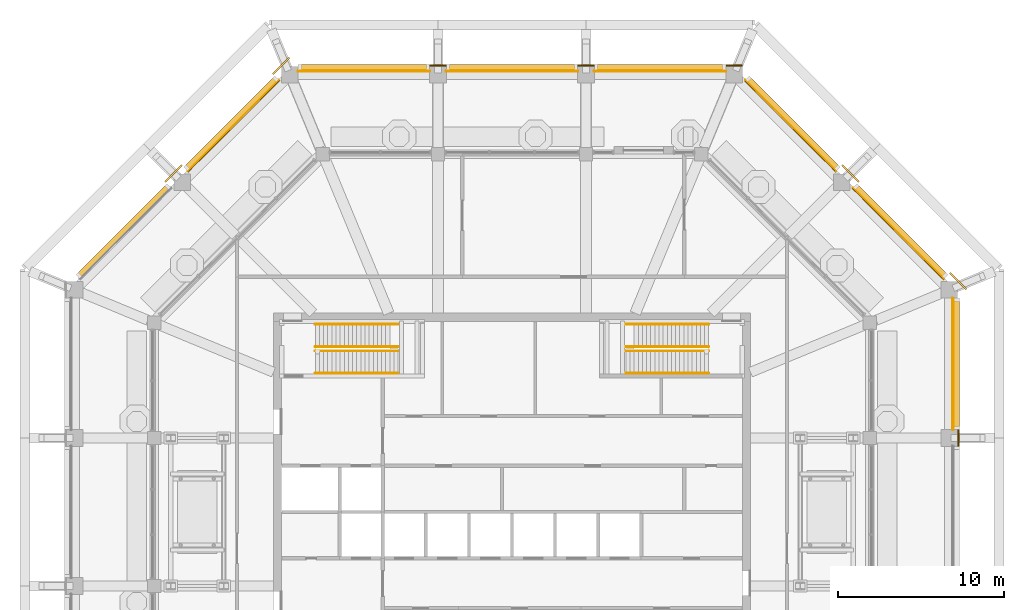
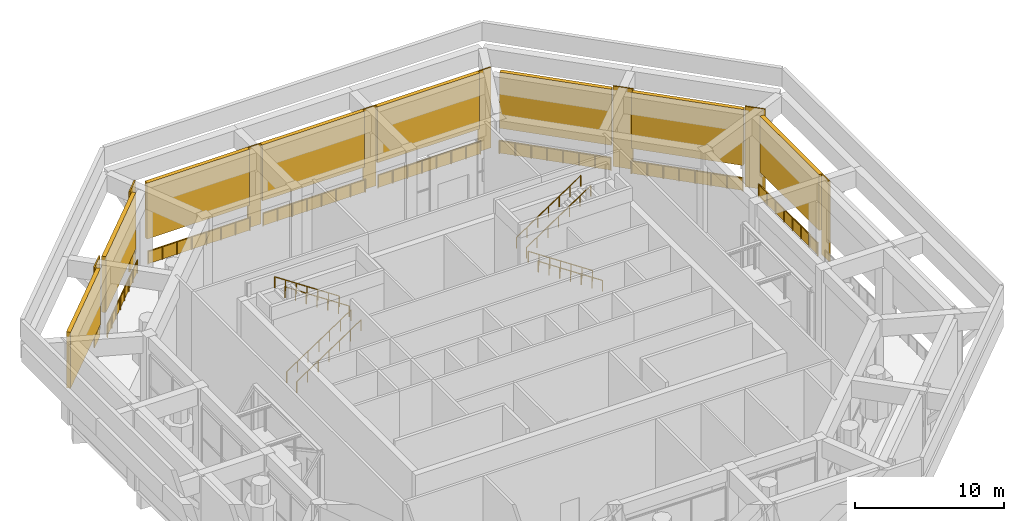
# One storey, part 28 of 29: 15 coverings, 15 railings, 8 shading devices.
"""IFC4 building model written with IfcOpenShell, lengths in metres."""

from ifc_helpers import new_model, si_unit, direction, frame, frame_2d, origin, origin_2d, place, context, subcontext, project, spatial, rectangle, circle, extrude, material, layer, layer_set, constituent, constituent_set, type_object, element, save


model = new_model("IFC4")

# Units and contexts
model_context = context("Model", 3, precision=1e-05, world=origin(), true_north=direction((0.0, 1.0)))
body_context = subcontext(model_context, "Body", "Model", "MODEL_VIEW")
ifc_project = project(units=[si_unit("LENGTHUNIT", "METRE"), si_unit("AREAUNIT", "SQUARE_METRE"), si_unit("VOLUMEUNIT", "CUBIC_METRE"), si_unit("PLANEANGLEUNIT", "RADIAN"), si_unit("MASSUNIT", "GRAM", prefix="KILO")], contexts=[model_context])

# Site, building, storey
site_placement = place(None, origin())
site = spatial("IfcSite", under=ifc_project, at=site_placement, CompositionType="ELEMENT")
building_placement = place(site_placement, origin())
building = spatial("IfcBuilding", under=site, at=building_placement, Name="Msitu Wima Residences", CompositionType="ELEMENT")
storey_placement = place(building_placement, frame((0.0, 0.0, 320.10009765625)))
storey = spatial("IfcBuildingStorey", under=building, at=storey_placement, Name="L74", CompositionType="ELEMENT", Elevation=320.10009765625)

# Shading devices
ifc_material_1 = material(Name="Brick (red buff mix), open-jointed screen bond", Category="masonry")
ifc_layer_1 = layer(ifc_material_1, 0.300048828125)
ifc_layer_set_1 = layer_set([ifc_layer_1], Name="Brick (red buff mix), open-jointed screen bond")
shading_device_type = type_object("IfcShadingDeviceType", Name="Brick louvre screen BS300", PredefinedType="JALOUSIE", material=ifc_layer_set_1)
shading_device_1_placement = place(storey_placement, frame((26.85009765625, 4.96875, 2.0), z_axis=(0.0, 0.0, 1.0), x_axis=(0.0, 1.0, 0.0)))
element("IfcShadingDevice", 1, at=shading_device_1_placement, inside=storey, type_object=shading_device_type, Name="Brick louvre screen E2", PredefinedType="JALOUSIE", context=body_context, shape_type="SweptSolid", body=[
    extrude(rectangle(XDim=7.937255859375, YDim=0.300048828125, at=frame_2d((3.96875, 0.0))), origin(), (0.0, 0.0, 1.0), 4.599853515625),
])
for number, where, z_axis, x_axis, name in (
    (2, (26.21826171875, 14.22412109375, 2.0), (0.0, 0.0, 1.0), (-0.707106781187, 0.707106781187, 0.0), "Brick louvre screen NE0"),
    (3, (19.72119140625, 20.72119140625, 2.0), (0.0, 0.0, 1.0), (-0.707106781187, 0.707106781187, 0.0), "Brick louvre screen NE1"),
):
    element("IfcShadingDevice", number, at=place(storey_placement, frame(where, z_axis=z_axis, x_axis=x_axis)), inside=storey, type_object=shading_device_type, Name=name, PredefinedType="JALOUSIE", context=body_context, shape_type="SweptSolid", body=[
        extrude(rectangle(XDim=7.77392578125, YDim=0.300048828125, at=frame_2d((3.886962890625, 0.0))), origin(), (0.0, 0.0, 1.0), 4.599853515625),
    ])
shading_device_2_placement = place(storey_placement, frame((12.906005859375, 26.85009765625, 2.0), z_axis=(0.0, 0.0, 1.0), x_axis=(-1.0, 0.0, 0.0)))
element("IfcShadingDevice", 4, at=shading_device_2_placement, inside=storey, type_object=shading_device_type, Name="Brick louvre screen N0", PredefinedType="JALOUSIE", context=body_context, shape_type="SweptSolid", body=[
    extrude(rectangle(XDim=7.937255859375, YDim=0.300048828125, at=frame_2d((3.96875, 0.0))), origin(), (0.0, 0.0, 1.0), 4.599853515625),
])
shading_device_3_placement = place(storey_placement, frame((3.96875, 26.85009765625, 2.0), z_axis=(0.0, 0.0, 1.0), x_axis=(-1.0, 0.0, 0.0)))
element("IfcShadingDevice", 5, at=shading_device_3_placement, inside=storey, type_object=shading_device_type, Name="Brick louvre screen N1", PredefinedType="JALOUSIE", context=body_context, shape_type="SweptSolid", body=[
    extrude(rectangle(XDim=7.9375, YDim=0.300048828125, at=frame_2d((3.96875, 0.0))), origin(), (0.0, 0.0, 1.0), 4.599853515625),
])
shading_device_4_placement = place(storey_placement, frame((-4.96875, 26.85009765625, 2.0), z_axis=(0.0, 0.0, 1.0), x_axis=(-1.0, 0.0, 0.0)))
element("IfcShadingDevice", 6, at=shading_device_4_placement, inside=storey, type_object=shading_device_type, Name="Brick louvre screen N2", PredefinedType="JALOUSIE", context=body_context, shape_type="SweptSolid", body=[
    extrude(rectangle(XDim=7.937255859375, YDim=0.300048828125, at=frame_2d((3.96875, 0.0))), origin(), (0.0, 0.0, 1.0), 4.599853515625),
])
for number, where, z_axis, x_axis, name in (
    (7, (-14.22412109375, 26.21826171875, 2.0), (0.0, 0.0, 1.0), (-0.707106781187, -0.707106781187, 0.0), "Brick louvre screen NW0"),
    (8, (-20.72119140625, 19.72119140625, 2.0), (0.0, 0.0, 1.0), (-0.707106781187, -0.707106781187, 0.0), "Brick louvre screen NW1"),
):
    element("IfcShadingDevice", number, at=place(storey_placement, frame(where, z_axis=z_axis, x_axis=x_axis)), inside=storey, type_object=shading_device_type, Name=name, PredefinedType="JALOUSIE", context=body_context, shape_type="SweptSolid", body=[
        extrude(rectangle(XDim=7.77392578125, YDim=0.300048828125, at=frame_2d((3.886962890625, 0.0))), origin(), (0.0, 0.0, 1.0), 4.599853515625),
    ])

# Coverings
ifc_material_2 = material(Name="Laminated toughened clear glass", Category="glass")
ifc_layer_2 = layer(ifc_material_2, 0.02001953125)
ifc_layer_set_2 = layer_set([ifc_layer_2], Name="Laminated toughened clear glass")
covering_type_1 = type_object("IfcCoveringType", Name="Deck glass guard panel GP20", PredefinedType="CLADDING", material=ifc_layer_set_2)
covering_1_placement = place(storey_placement, frame((26.64990234375, 8.937255859375, 0.0), z_axis=(0.0, 0.0, 1.0), x_axis=(0.0, 1.0, 0.0)))
element("IfcCovering", 9, at=covering_1_placement, inside=storey, type_object=covering_type_1, Name="Deck glass guard panel E2", PredefinedType="CLADDING", context=body_context, shape_type="SweptSolid", body=[
    extrude(rectangle(XDim=7.937255859375, YDim=0.02001953125, at=origin_2d()), origin(), (0.0, 0.0, 1.0), 1.0),
])
for number, where, z_axis, x_axis, name in (
    (10, (23.328369140625, 16.831298828125, 0.0), (0.0, 0.0, 1.0), (-0.707106781187, 0.707106781187, 0.0), "Deck glass guard panel NE0"),
    (11, (16.831298828125, 23.328369140625, 0.0), (0.0, 0.0, 1.0), (-0.707106781187, 0.707106781187, 0.0), "Deck glass guard panel NE1"),
):
    element("IfcCovering", number, at=place(storey_placement, frame(where, z_axis=z_axis, x_axis=x_axis)), inside=storey, type_object=covering_type_1, Name=name, PredefinedType="CLADDING", context=body_context, shape_type="SweptSolid", body=[
        extrude(rectangle(XDim=7.77392578125, YDim=0.02001953125, at=origin_2d()), origin(), (0.0, 0.0, 1.0), 1.0),
    ])
for number, where, z_axis, x_axis, name in (
    (12, (8.937255859375, 26.64990234375, 0.0), (0.0, 0.0, 1.0), (-1.0, 0.0, 0.0), "Deck glass guard panel N0"),
    (13, (0.0, 26.64990234375, 0.0), (0.0, 0.0, 1.0), (-1.0, 0.0, 0.0), "Deck glass guard panel N1"),
    (14, (-8.937255859375, 26.64990234375, 0.0), (0.0, 0.0, 1.0), (-1.0, 0.0, 0.0), "Deck glass guard panel N2"),
):
    element("IfcCovering", number, at=place(storey_placement, frame(where, z_axis=z_axis, x_axis=x_axis)), inside=storey, type_object=covering_type_1, Name=name, PredefinedType="CLADDING", context=body_context, shape_type="SweptSolid", body=[
        extrude(rectangle(XDim=7.937255859375, YDim=0.02001953125, at=origin_2d()), origin(), (0.0, 0.0, 1.0), 1.0),
    ])
covering_2_placement = place(storey_placement, frame((-16.831298828125, 23.328369140625, 0.0), z_axis=(0.0, 0.0, 1.0), x_axis=(-0.707106781187, -0.707106781187, 0.0)))
element("IfcCovering", 15, at=covering_2_placement, inside=storey, type_object=covering_type_1, Name="Deck glass guard panel NW0", PredefinedType="CLADDING", context=body_context, shape_type="SweptSolid", body=[
    extrude(rectangle(XDim=7.77392578125, YDim=0.02001953125, at=origin_2d()), origin(), (0.0, 0.0, 1.0), 1.0),
])
ifc_material_3 = material(Name="Brick (red buff mix) slips on insulated backing", Category="masonry")
ifc_layer_3 = layer(ifc_material_3, 0.10009765625)
ifc_layer_set_3 = layer_set([ifc_layer_3], Name="Brick (red buff mix) slips on insulated backing")
covering_type_2 = type_object("IfcCoveringType", Name="Pier brick cladding PC100", PredefinedType="CLADDING", material=ifc_layer_set_3)
covering_3_placement = place(storey_placement, frame((26.949951171875, 4.46875, -0.000244140625), z_axis=(0.0, 0.0, 1.0), x_axis=(0.0, 1.0, 0.0)))
element("IfcCovering", 16, at=covering_3_placement, inside=storey, type_object=covering_type_2, Name="Pier brick cladding E2", PredefinedType="CLADDING", context=body_context, shape_type="SweptSolid", body=[
    extrude(rectangle(XDim=1.0, YDim=0.10009765625, at=origin_2d()), origin(), (0.0, 0.0, 1.0), 6.60009765625),
])
for number, where, z_axis, x_axis, name in (
    (17, (26.935302734375, 13.941162109375, -0.000244140625), (0.0, 0.0, 1.0), (-0.707106781187, 0.707106781187, 0.0), "Pier brick cladding NE0"),
    (18, (20.438232421875, 20.438232421875, -0.000244140625), (0.0, 0.0, 1.0), (-0.707106781187, 0.707106781187, 0.0), "Pier brick cladding NE1"),
):
    element("IfcCovering", number, at=place(storey_placement, frame(where, z_axis=z_axis, x_axis=x_axis)), inside=storey, type_object=covering_type_2, Name=name, PredefinedType="CLADDING", context=body_context, shape_type="SweptSolid", body=[
        extrude(rectangle(XDim=1.414306640625, YDim=0.10009765625, at=origin_2d()), origin(), (0.0, 0.0, 1.0), 6.60009765625),
    ])
for number, where, z_axis, x_axis, name in (
    (19, (13.406005859375, 26.949951171875, -0.000244140625), (0.0, 0.0, 1.0), (-1.0, 0.0, 0.0), "Pier brick cladding N0"),
    (20, (4.46875, 26.949951171875, -0.000244140625), (0.0, 0.0, 1.0), (-1.0, 0.0, 0.0), "Pier brick cladding N1"),
    (21, (-4.46875, 26.949951171875, -0.000244140625), (0.0, 0.0, 1.0), (-1.0, 0.0, 0.0), "Pier brick cladding N2"),
):
    element("IfcCovering", number, at=place(storey_placement, frame(where, z_axis=z_axis, x_axis=x_axis)), inside=storey, type_object=covering_type_2, Name=name, PredefinedType="CLADDING", context=body_context, shape_type="SweptSolid", body=[
        extrude(rectangle(XDim=1.0, YDim=0.10009765625, at=origin_2d()), origin(), (0.0, 0.0, 1.0), 6.60009765625),
    ])
for number, where, z_axis, x_axis, name in (
    (22, (-13.941162109375, 26.935302734375, -0.000244140625), (0.0, 0.0, 1.0), (-0.707106781187, -0.707106781187, 0.0), "Pier brick cladding NW0"),
    (23, (-20.438232421875, 20.438232421875, -0.000244140625), (0.0, 0.0, 1.0), (-0.707106781187, -0.707106781187, 0.0), "Pier brick cladding NW1"),
):
    element("IfcCovering", number, at=place(storey_placement, frame(where, z_axis=z_axis, x_axis=x_axis)), inside=storey, type_object=covering_type_2, Name=name, PredefinedType="CLADDING", context=body_context, shape_type="SweptSolid", body=[
        extrude(rectangle(XDim=1.414306640625, YDim=0.10009765625, at=origin_2d()), origin(), (0.0, 0.0, 1.0), 6.60009765625),
    ])

# Railings
ifc_material_4 = material(Name="Steel S355", Category="steel")
ifc_constituent_1 = constituent(ifc_material_4, Name="Steel S355")
ifc_material_5 = material(Name="Black powder coating")
ifc_constituent_2 = constituent(ifc_material_5, Name="Black powder coating")
ifc_constituent_set_1 = constituent_set(constituents=[ifc_constituent_1, ifc_constituent_2], Name="Steel S355")
railing_type_1 = type_object("IfcRailingType", Name="Stair handrail HR1", PredefinedType="HANDRAIL", material=ifc_constituent_set_1)
for number, where, name in (
    (24, (-11.875, 8.375, 0.16650390625), "Stair 1 handrail"),
    (25, (-11.875, 9.72509765625, 0.16650390625), "Stair 1 handrail"),
):
    element("IfcRailing", number, at=place(storey_placement, frame(where)), inside=storey, type_object=railing_type_1, Name=name, PredefinedType="HANDRAIL", context=body_context, shape_type="SweptSolid", body=[
        extrude(circle(Radius=0.02392578125, at=origin_2d()), frame((0.0, 0.0, 0.8759765625), z_axis=(0.832037793559, 0.0, 0.554718946936), x_axis=(0.0, 1.0, 0.0)), (0.0, 0.0, 1.0), 6.00927734375),
        extrude(circle(Radius=0.02099609375, at=origin_2d()), origin(), (0.0, 0.0, 1.0), 0.851806640625),
        extrude(circle(Radius=0.02099609375, at=origin_2d()), frame((0.833251953125, 0.0, 0.5556640625)), (0.0, 0.0, 1.0), 0.851806640625),
        extrude(circle(Radius=0.02099609375, at=origin_2d()), frame((1.666748046875, 0.0, 1.111083984375)), (0.0, 0.0, 1.0), 0.851806640625),
        extrude(circle(Radius=0.02099609375, at=origin_2d()), frame((2.5, 0.0, 1.666748046875)), (0.0, 0.0, 1.0), 0.851806640625),
        extrude(circle(Radius=0.02099609375, at=origin_2d()), frame((3.333251953125, 0.0, 2.222412109375)), (0.0, 0.0, 1.0), 0.851806640625),
        extrude(circle(Radius=0.02099609375, at=origin_2d()), frame((4.166748046875, 0.0, 2.77783203125)), (0.0, 0.0, 1.0), 0.851806640625),
        extrude(circle(Radius=0.02099609375, at=origin_2d()), frame((5.0, 0.0, 3.33349609375)), (0.0, 0.0, 1.0), 0.851806640625),
    ])
for number, where, name in (
    (26, (-6.875, 9.97509765625, 3.66650390625), "Stair 1 handrail"),
    (27, (-6.875, 11.324951171875, 3.66650390625), "Stair 1 handrail"),
    (28, (11.875, 8.375, 0.16650390625), "Stair 3 handrail"),
    (29, (11.875, 9.72509765625, 0.16650390625), "Stair 3 handrail"),
):
    element("IfcRailing", number, at=place(storey_placement, frame(where)), inside=storey, type_object=railing_type_1, Name=name, PredefinedType="HANDRAIL", context=body_context, shape_type="SweptSolid", body=[
        extrude(circle(Radius=0.02392578125, at=origin_2d()), frame((0.0, 0.0, 0.8759765625), z_axis=(-0.832037793559, 0.0, 0.554718946936), x_axis=(0.0, -1.0, 0.0)), (0.0, 0.0, 1.0), 6.00927734375),
        extrude(circle(Radius=0.02099609375, at=origin_2d()), origin(), (0.0, 0.0, 1.0), 0.851806640625),
        extrude(circle(Radius=0.02099609375, at=origin_2d()), frame((-0.833251953125, 0.0, 0.5556640625)), (0.0, 0.0, 1.0), 0.851806640625),
        extrude(circle(Radius=0.02099609375, at=origin_2d()), frame((-1.666748046875, 0.0, 1.111083984375)), (0.0, 0.0, 1.0), 0.851806640625),
        extrude(circle(Radius=0.02099609375, at=origin_2d()), frame((-2.5, 0.0, 1.666748046875)), (0.0, 0.0, 1.0), 0.851806640625),
        extrude(circle(Radius=0.02099609375, at=origin_2d()), frame((-3.333251953125, 0.0, 2.222412109375)), (0.0, 0.0, 1.0), 0.851806640625),
        extrude(circle(Radius=0.02099609375, at=origin_2d()), frame((-4.166748046875, 0.0, 2.77783203125)), (0.0, 0.0, 1.0), 0.851806640625),
        extrude(circle(Radius=0.02099609375, at=origin_2d()), frame((-5.0, 0.0, 3.33349609375)), (0.0, 0.0, 1.0), 0.851806640625),
    ])
for number, where, name in (
    (30, (6.875, 9.97509765625, 3.66650390625), "Stair 3 handrail"),
    (31, (6.875, 11.324951171875, 3.66650390625), "Stair 3 handrail"),
):
    element("IfcRailing", number, at=place(storey_placement, frame(where)), inside=storey, type_object=railing_type_1, Name=name, PredefinedType="HANDRAIL", context=body_context, shape_type="SweptSolid", body=[
        extrude(circle(Radius=0.02392578125, at=origin_2d()), frame((0.0, 0.0, 0.8759765625), z_axis=(0.832037793559, 0.0, 0.554718946936), x_axis=(0.0, 1.0, 0.0)), (0.0, 0.0, 1.0), 6.00927734375),
        extrude(circle(Radius=0.02099609375, at=origin_2d()), origin(), (0.0, 0.0, 1.0), 0.851806640625),
        extrude(circle(Radius=0.02099609375, at=origin_2d()), frame((0.833251953125, 0.0, 0.5556640625)), (0.0, 0.0, 1.0), 0.851806640625),
        extrude(circle(Radius=0.02099609375, at=origin_2d()), frame((1.666748046875, 0.0, 1.111083984375)), (0.0, 0.0, 1.0), 0.851806640625),
        extrude(circle(Radius=0.02099609375, at=origin_2d()), frame((2.5, 0.0, 1.666748046875)), (0.0, 0.0, 1.0), 0.851806640625),
        extrude(circle(Radius=0.02099609375, at=origin_2d()), frame((3.333251953125, 0.0, 2.222412109375)), (0.0, 0.0, 1.0), 0.851806640625),
        extrude(circle(Radius=0.02099609375, at=origin_2d()), frame((4.166748046875, 0.0, 2.77783203125)), (0.0, 0.0, 1.0), 0.851806640625),
        extrude(circle(Radius=0.02099609375, at=origin_2d()), frame((5.0, 0.0, 3.33349609375)), (0.0, 0.0, 1.0), 0.851806640625),
    ])
ifc_constituent_3 = constituent(ifc_material_4, Name="Steel S355")
ifc_material_6 = material(Name="Weathering patina")
ifc_constituent_4 = constituent(ifc_material_6, Name="Weathering patina")
ifc_constituent_set_2 = constituent_set(constituents=[ifc_constituent_3, ifc_constituent_4], Name="Steel S355")
railing_type_2 = type_object("IfcRailingType", Name="Terrace guard GR1100", PredefinedType="GUARDRAIL", material=ifc_constituent_set_2)
railing_1_placement = place(storey_placement, frame((26.60009765625, 4.96875, 0.0)))
element("IfcRailing", 32, at=railing_1_placement, inside=storey, type_object=railing_type_2, Name="Deck guard E2", PredefinedType="GUARDRAIL", context=body_context, shape_type="SweptSolid", body=[
    extrude(circle(Radius=0.02392578125, at=origin_2d()), frame((0.0, 0.0, 1.076171875), z_axis=(0.0, 1.0, 0.0), x_axis=(-1.0, 0.0, 0.0)), (0.0, 0.0, 1.0), 7.937255859375),
    extrude(circle(Radius=0.02099609375, at=origin_2d()), origin(), (0.0, 0.0, 1.0), 1.052001953125),
    extrude(circle(Radius=0.02099609375, at=origin_2d()), frame((0.0, 1.1337890625, 0.0)), (0.0, 0.0, 1.0), 1.052001953125),
    extrude(circle(Radius=0.02099609375, at=origin_2d()), frame((0.0, 2.267822265625, 0.0)), (0.0, 0.0, 1.0), 1.052001953125),
    extrude(circle(Radius=0.02099609375, at=origin_2d()), frame((0.0, 3.401611328125, 0.0)), (0.0, 0.0, 1.0), 1.052001953125),
    extrude(circle(Radius=0.02099609375, at=origin_2d()), frame((0.0, 4.53564453125, 0.0)), (0.0, 0.0, 1.0), 1.052001953125),
    extrude(circle(Radius=0.02099609375, at=origin_2d()), frame((0.0, 5.66943359375, 0.0)), (0.0, 0.0, 1.0), 1.052001953125),
    extrude(circle(Radius=0.02099609375, at=origin_2d()), frame((0.0, 6.803466796875, 0.0)), (0.0, 0.0, 1.0), 1.052001953125),
    extrude(circle(Radius=0.02099609375, at=origin_2d()), frame((0.0, 7.937255859375, 0.0)), (0.0, 0.0, 1.0), 1.052001953125),
])
for number, where, name in (
    (33, (26.04150390625, 14.04736328125, 0.0), "Deck guard NE0"),
    (34, (19.54443359375, 20.54443359375, 0.0), "Deck guard NE1"),
):
    element("IfcRailing", number, at=place(storey_placement, frame(where)), inside=storey, type_object=railing_type_2, Name=name, PredefinedType="GUARDRAIL", context=body_context, shape_type="SweptSolid", body=[
        extrude(circle(Radius=0.02392578125, at=origin_2d()), frame((0.0, 0.0, 1.076171875), z_axis=(-0.707106781187, 0.707106781187, 0.0), x_axis=(-0.707106781187, -0.707106781187, 0.0)), (0.0, 0.0, 1.0), 7.77392578125),
        extrude(circle(Radius=0.02099609375, at=origin_2d()), origin(), (0.0, 0.0, 1.0), 1.052001953125),
        extrude(circle(Radius=0.02099609375, at=origin_2d()), frame((-0.785400390625, 0.785400390625, 0.0)), (0.0, 0.0, 1.0), 1.052001953125),
        extrude(circle(Radius=0.02099609375, at=origin_2d()), frame((-1.570556640625, 1.570556640625, 0.0)), (0.0, 0.0, 1.0), 1.052001953125),
        extrude(circle(Radius=0.02099609375, at=origin_2d()), frame((-2.35595703125, 2.35595703125, 0.0)), (0.0, 0.0, 1.0), 1.052001953125),
        extrude(circle(Radius=0.02099609375, at=origin_2d()), frame((-3.14111328125, 3.14111328125, 0.0)), (0.0, 0.0, 1.0), 1.052001953125),
        extrude(circle(Radius=0.02099609375, at=origin_2d()), frame((-3.926513671875, 3.926513671875, 0.0)), (0.0, 0.0, 1.0), 1.052001953125),
        extrude(circle(Radius=0.02099609375, at=origin_2d()), frame((-4.711669921875, 4.711669921875, 0.0)), (0.0, 0.0, 1.0), 1.052001953125),
        extrude(circle(Radius=0.02099609375, at=origin_2d()), frame((-5.4970703125, 5.4970703125, 0.0)), (0.0, 0.0, 1.0), 1.052001953125),
    ])
railing_2_placement = place(storey_placement, frame((12.906005859375, 26.60009765625, 0.0)))
element("IfcRailing", 35, at=railing_2_placement, inside=storey, type_object=railing_type_2, Name="Deck guard N0", PredefinedType="GUARDRAIL", context=body_context, shape_type="SweptSolid", body=[
    extrude(circle(Radius=0.02392578125, at=origin_2d()), frame((0.0, 0.0, 1.076171875), z_axis=(-1.0, 0.0, 0.0), x_axis=(0.0, -1.0, 0.0)), (0.0, 0.0, 1.0), 7.937255859375),
    extrude(circle(Radius=0.02099609375, at=origin_2d()), origin(), (0.0, 0.0, 1.0), 1.052001953125),
    extrude(circle(Radius=0.02099609375, at=origin_2d()), frame((-1.1337890625, 0.0, 0.0)), (0.0, 0.0, 1.0), 1.052001953125),
    extrude(circle(Radius=0.02099609375, at=origin_2d()), frame((-2.267822265625, 0.0, 0.0)), (0.0, 0.0, 1.0), 1.052001953125),
    extrude(circle(Radius=0.02099609375, at=origin_2d()), frame((-3.401611328125, 0.0, 0.0)), (0.0, 0.0, 1.0), 1.052001953125),
    extrude(circle(Radius=0.02099609375, at=origin_2d()), frame((-4.53564453125, 0.0, 0.0)), (0.0, 0.0, 1.0), 1.052001953125),
    extrude(circle(Radius=0.02099609375, at=origin_2d()), frame((-5.66943359375, 0.0, 0.0)), (0.0, 0.0, 1.0), 1.052001953125),
    extrude(circle(Radius=0.02099609375, at=origin_2d()), frame((-6.803466796875, 0.0, 0.0)), (0.0, 0.0, 1.0), 1.052001953125),
    extrude(circle(Radius=0.02099609375, at=origin_2d()), frame((-7.937255859375, 0.0, 0.0)), (0.0, 0.0, 1.0), 1.052001953125),
])
railing_3_placement = place(storey_placement, frame((3.96875, 26.60009765625, 0.0)))
element("IfcRailing", 36, at=railing_3_placement, inside=storey, type_object=railing_type_2, Name="Deck guard N1", PredefinedType="GUARDRAIL", context=body_context, shape_type="SweptSolid", body=[
    extrude(circle(Radius=0.02392578125, at=origin_2d()), frame((0.0, 0.0, 1.076171875), z_axis=(-1.0, 0.0, 0.0), x_axis=(0.0, -1.0, 0.0)), (0.0, 0.0, 1.0), 7.9375),
    extrude(circle(Radius=0.02099609375, at=origin_2d()), origin(), (0.0, 0.0, 1.0), 1.052001953125),
    extrude(circle(Radius=0.02099609375, at=origin_2d()), frame((-1.134033203125, 0.0, 0.0)), (0.0, 0.0, 1.0), 1.052001953125),
    extrude(circle(Radius=0.02099609375, at=origin_2d()), frame((-2.267822265625, 0.0, 0.0)), (0.0, 0.0, 1.0), 1.052001953125),
    extrude(circle(Radius=0.02099609375, at=origin_2d()), frame((-3.40185546875, 0.0, 0.0)), (0.0, 0.0, 1.0), 1.052001953125),
    extrude(circle(Radius=0.02099609375, at=origin_2d()), frame((-4.53564453125, 0.0, 0.0)), (0.0, 0.0, 1.0), 1.052001953125),
    extrude(circle(Radius=0.02099609375, at=origin_2d()), frame((-5.669677734375, 0.0, 0.0)), (0.0, 0.0, 1.0), 1.052001953125),
    extrude(circle(Radius=0.02099609375, at=origin_2d()), frame((-6.803466796875, 0.0, 0.0)), (0.0, 0.0, 1.0), 1.052001953125),
    extrude(circle(Radius=0.02099609375, at=origin_2d()), frame((-7.9375, 0.0, 0.0)), (0.0, 0.0, 1.0), 1.052001953125),
])
railing_4_placement = place(storey_placement, frame((-4.96875, 26.60009765625, 0.0)))
element("IfcRailing", 37, at=railing_4_placement, inside=storey, type_object=railing_type_2, Name="Deck guard N2", PredefinedType="GUARDRAIL", context=body_context, shape_type="SweptSolid", body=[
    extrude(circle(Radius=0.02392578125, at=origin_2d()), frame((0.0, 0.0, 1.076171875), z_axis=(-1.0, 0.0, 0.0), x_axis=(0.0, -1.0, 0.0)), (0.0, 0.0, 1.0), 7.937255859375),
    extrude(circle(Radius=0.02099609375, at=origin_2d()), origin(), (0.0, 0.0, 1.0), 1.052001953125),
    extrude(circle(Radius=0.02099609375, at=origin_2d()), frame((-1.1337890625, 0.0, 0.0)), (0.0, 0.0, 1.0), 1.052001953125),
    extrude(circle(Radius=0.02099609375, at=origin_2d()), frame((-2.267822265625, 0.0, 0.0)), (0.0, 0.0, 1.0), 1.052001953125),
    extrude(circle(Radius=0.02099609375, at=origin_2d()), frame((-3.401611328125, 0.0, 0.0)), (0.0, 0.0, 1.0), 1.052001953125),
    extrude(circle(Radius=0.02099609375, at=origin_2d()), frame((-4.53564453125, 0.0, 0.0)), (0.0, 0.0, 1.0), 1.052001953125),
    extrude(circle(Radius=0.02099609375, at=origin_2d()), frame((-5.66943359375, 0.0, 0.0)), (0.0, 0.0, 1.0), 1.052001953125),
    extrude(circle(Radius=0.02099609375, at=origin_2d()), frame((-6.803466796875, 0.0, 0.0)), (0.0, 0.0, 1.0), 1.052001953125),
    extrude(circle(Radius=0.02099609375, at=origin_2d()), frame((-7.937255859375, 0.0, 0.0)), (0.0, 0.0, 1.0), 1.052001953125),
])
railing_5_placement = place(storey_placement, frame((-14.04736328125, 26.04150390625, 0.0)))
element("IfcRailing", 38, at=railing_5_placement, inside=storey, type_object=railing_type_2, Name="Deck guard NW0", PredefinedType="GUARDRAIL", context=body_context, shape_type="SweptSolid", body=[
    extrude(circle(Radius=0.02392578125, at=origin_2d()), frame((0.0, 0.0, 1.076171875), z_axis=(-0.707106781187, -0.707106781187, 0.0), x_axis=(0.707106781187, -0.707106781187, 0.0)), (0.0, 0.0, 1.0), 7.77392578125),
    extrude(circle(Radius=0.02099609375, at=origin_2d()), origin(), (0.0, 0.0, 1.0), 1.052001953125),
    extrude(circle(Radius=0.02099609375, at=origin_2d()), frame((-0.785400390625, -0.785400390625, 0.0)), (0.0, 0.0, 1.0), 1.052001953125),
    extrude(circle(Radius=0.02099609375, at=origin_2d()), frame((-1.570556640625, -1.570556640625, 0.0)), (0.0, 0.0, 1.0), 1.052001953125),
    extrude(circle(Radius=0.02099609375, at=origin_2d()), frame((-2.35595703125, -2.35595703125, 0.0)), (0.0, 0.0, 1.0), 1.052001953125),
    extrude(circle(Radius=0.02099609375, at=origin_2d()), frame((-3.14111328125, -3.14111328125, 0.0)), (0.0, 0.0, 1.0), 1.052001953125),
    extrude(circle(Radius=0.02099609375, at=origin_2d()), frame((-3.926513671875, -3.926513671875, 0.0)), (0.0, 0.0, 1.0), 1.052001953125),
    extrude(circle(Radius=0.02099609375, at=origin_2d()), frame((-4.711669921875, -4.711669921875, 0.0)), (0.0, 0.0, 1.0), 1.052001953125),
    extrude(circle(Radius=0.02099609375, at=origin_2d()), frame((-5.4970703125, -5.4970703125, 0.0)), (0.0, 0.0, 1.0), 1.052001953125),
])

save(model, "model.ifc")
